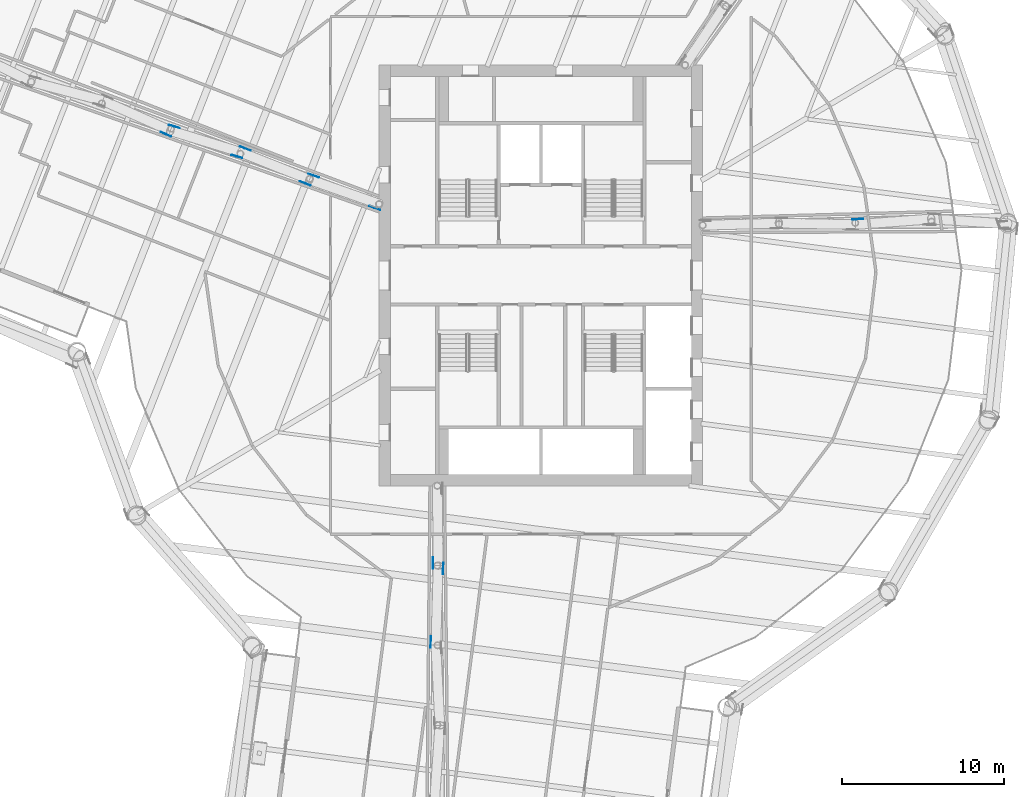
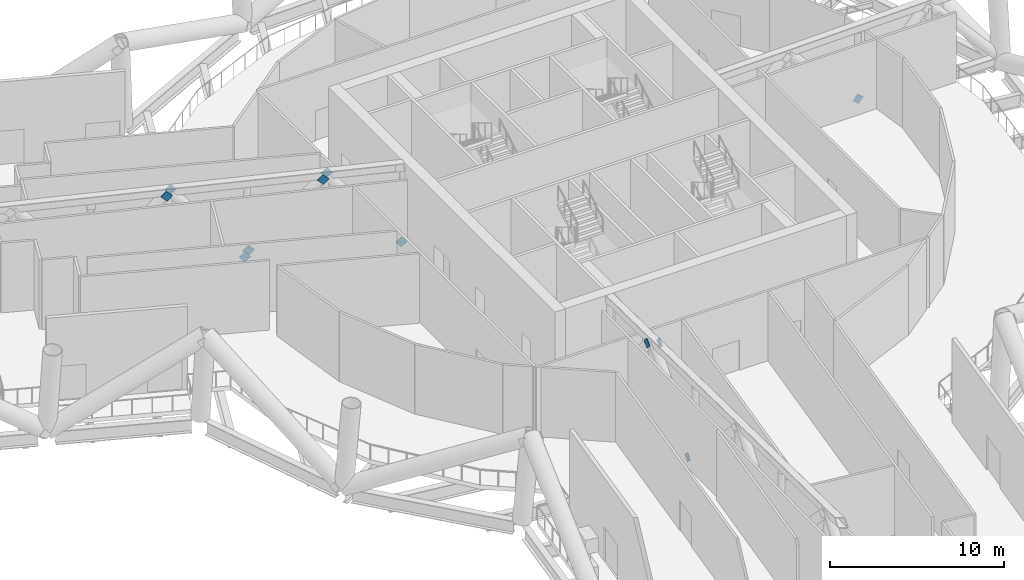
# One storey, part 16 of 36: 11 discrete accessories.
"""IFC4 building model written with IfcOpenShell, lengths in metres."""

from ifc_helpers import new_model, si_unit, direction, frame, origin, origin_2d, place, context, subcontext, project, spatial, rectangle, extrude, material, material_profile, profile_set, type_object, element, save


model = new_model("IFC4")

# Units and contexts
model_context = context("Model", 3, precision=1e-05, world=origin(), true_north=direction((0.0, 1.0)))
body_context = subcontext(model_context, "Body", "Model", "MODEL_VIEW")
ifc_project = project(units=[si_unit("LENGTHUNIT", "METRE"), si_unit("AREAUNIT", "SQUARE_METRE"), si_unit("VOLUMEUNIT", "CUBIC_METRE"), si_unit("PLANEANGLEUNIT", "RADIAN"), si_unit("MASSUNIT", "GRAM", prefix="KILO")], contexts=[model_context])

# Site, building, storey
site_placement = place(None, origin())
site = spatial("IfcSite", under=ifc_project, at=site_placement, CompositionType="ELEMENT")
building_placement = place(site_placement, origin())
building = spatial("IfcBuilding", under=site, at=building_placement, Name="Tarsis Ring Headquarters", CompositionType="ELEMENT")
storey_placement = place(building_placement, frame((0.0, 0.0, 194.39990234375)))
storey = spatial("IfcBuildingStorey", under=building, at=storey_placement, Name="L45", CompositionType="ELEMENT", Elevation=194.39990234375)

# Discrete accessories
ifc_material = material(Name="Structural steel S355", Category="steel")
ifc_material_profile = material_profile(ifc_material, rectangle(XDim=0.02490234375, YDim=0.5, at=origin_2d()), Name="PL 25x500")
ifc_profile_set = profile_set([ifc_material_profile], Name="Structural steel S355")
discrete_accessory_type = type_object("IfcDiscreteAccessoryType", Name="Gusset plate Outrigger 25", PredefinedType="BRACKET", material=ifc_profile_set)
discrete_accessory_1_placement = place(storey_placement, frame((19.413330078125, 3.459716796875, 0.254150390625), z_axis=(0.658874674848, 0.04835329341, 0.750697090617), x_axis=(-0.073190865264, 0.99731795193, 0.0)))
element("IfcDiscreteAccessory", 1, at=discrete_accessory_1_placement, inside=storey, type_object=discrete_accessory_type, Name="Gusset plate GP1", PredefinedType="BRACKET", context=body_context, shape_type="SweptSolid", body=[
    extrude(rectangle(XDim=0.02490234375, YDim=0.5, at=origin_2d()), origin(), (0.0, 0.0, 1.0), 0.499755859375),
])
for number, where, z_axis, x_axis, name in (
    (2, (-6.6650390625, -17.935791015625, 5.586181640625), (-0.007321759551, 0.678971169056, -0.734128424343), (-0.99994186196, -0.010782981977, 0.0), "Gusset plate GP1"),
    (3, (-6.03076171875, -17.941650390625, 5.586181640625), (-0.01952632982, -0.677075486509, -0.735654475969), (0.999584408874, -0.028827236017, 0.0), "Gusset plate GP1"),
):
    element("IfcDiscreteAccessory", number, at=place(storey_placement, frame(where, z_axis=z_axis, x_axis=x_axis)), inside=storey, type_object=discrete_accessory_type, Name=name, PredefinedType="BRACKET", context=body_context, shape_type="SweptSolid", body=[
        extrude(rectangle(XDim=0.02490234375, YDim=0.5, at=origin_2d()), origin(), (0.0, 0.0, 1.0), 0.500244140625),
    ])
for number, where, z_axis, x_axis, name in (
    (4, (-6.807861328125, -22.83203125, 0.254150390625), (0.019533343484, 0.677318685309, 0.735430382174), (-0.999584408874, 0.028827236017, 0.0), "Gusset plate GP1"),
    (5, (-10.105224609375, 4.111572265625, 0.254150390625), (-0.612833077475, 0.215346125232, 0.760303666636), (-0.33152216484, -0.943447430554, 0.0), "Gusset plate GP1"),
    (6, (-14.19287109375, 6.221923828125, 5.586181640625), (0.612768571302, -0.215811719933, -0.760223637862), (0.332191042904, 0.943212124082, 0.0), "Gusset plate GP1"),
    (7, (-14.415283203125, 5.627685546875, 5.586181640625), (-0.603917881194, 0.239711947992, -0.76014562734), (-0.368927951572, -0.929457996119, 0.0), "Gusset plate GP1"),
    (8, (-18.414306640625, 7.899169921875, 0.254150390625), (0.603607591304, -0.23978262729, 0.760369757007), (0.369185768172, 0.929355620083, 0.0), "Gusset plate GP1"),
    (9, (-18.624755859375, 7.301025390625, 0.254150390625), (-0.621506094357, 0.191382866448, 0.759672806613), (-0.294296865346, -0.955714055064, 0.0), "Gusset plate GP1"),
    (10, (-22.801513671875, 9.249267578125, 5.586181640625), (0.621564100225, -0.190912461263, -0.759743707737), (0.293610904456, 0.955925016298, 0.0), "Gusset plate GP1"),
):
    element("IfcDiscreteAccessory", number, at=place(storey_placement, frame(where, z_axis=z_axis, x_axis=x_axis)), inside=storey, type_object=discrete_accessory_type, Name=name, PredefinedType="BRACKET", context=body_context, shape_type="SweptSolid", body=[
        extrude(rectangle(XDim=0.02490234375, YDim=0.5, at=origin_2d()), origin(), (0.0, 0.0, 1.0), 0.5),
    ])
discrete_accessory_2_placement = place(storey_placement, frame((-23.0234375, 8.656005859375, 5.586181640625), z_axis=(-0.593975290083, 0.264043247276, -0.759917441791), x_axis=(-0.406208131073, -0.913780583209, 0.0)))
element("IfcDiscreteAccessory", 11, at=discrete_accessory_2_placement, inside=storey, type_object=discrete_accessory_type, Name="Gusset plate GP1", PredefinedType="BRACKET", context=body_context, shape_type="SweptSolid", body=[
    extrude(rectangle(XDim=0.02490234375, YDim=0.5, at=origin_2d()), origin(), (0.0, 0.0, 1.0), 0.500244140625),
])

save(model, "model.ifc")
